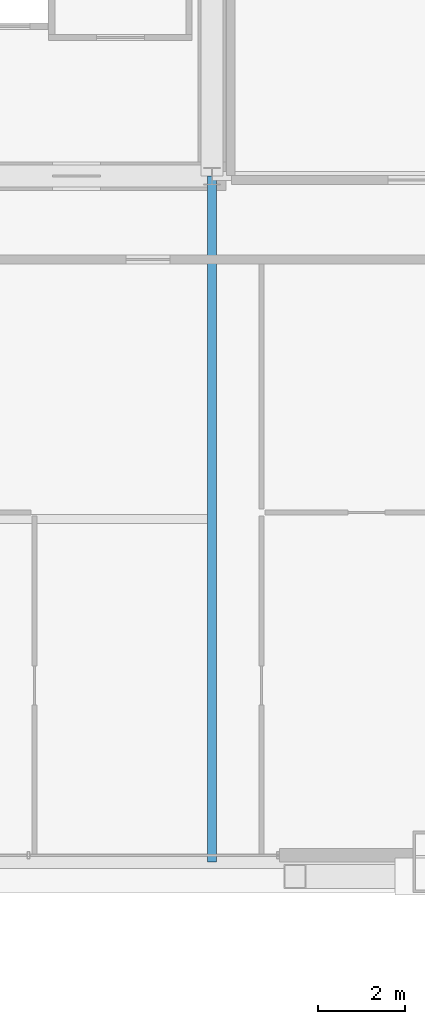
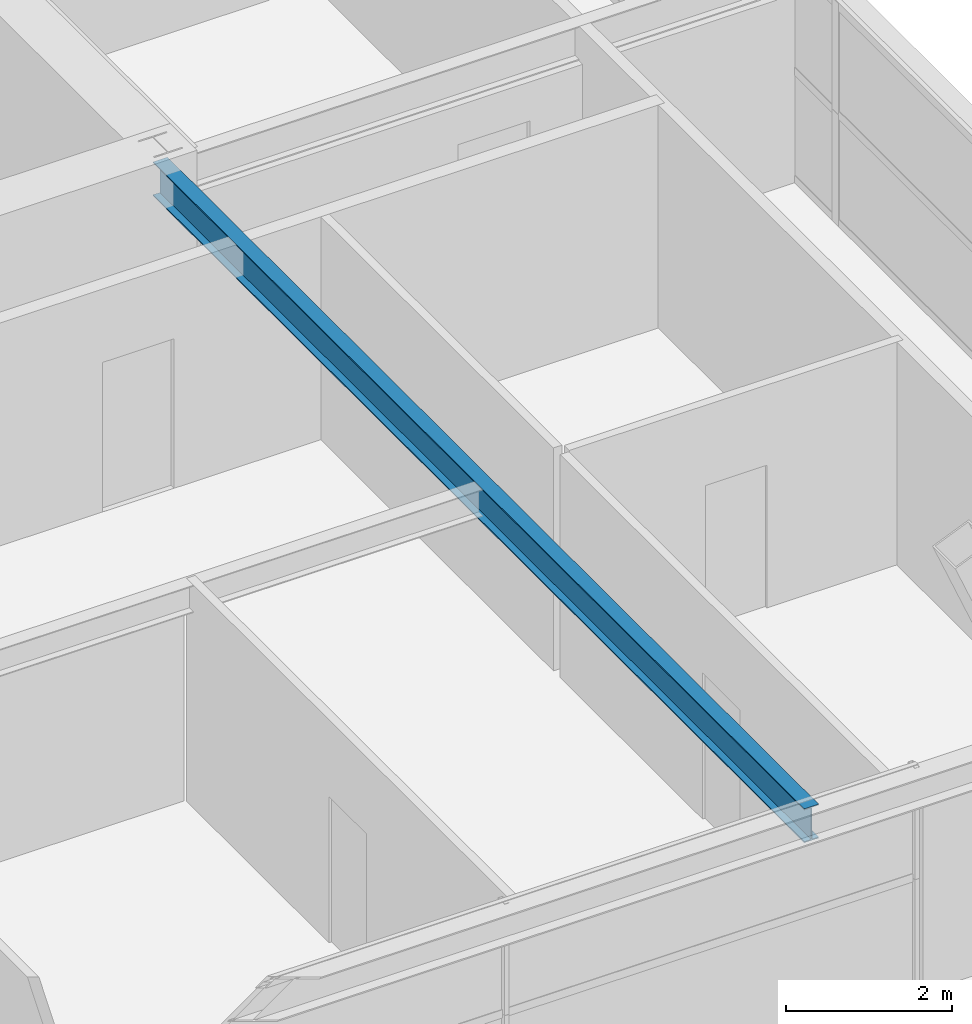
# One storey, part 21 of 45: 1 beam.
"""IFC4 building model written with IfcOpenShell, lengths in metres."""

from ifc_helpers import new_model, si_unit, direction, frame, origin, origin_2d, place, context, subcontext, project, spatial, i_section, extrude, source, transform, mapped, material, material_profile, profile_set, type_object, element, save


model = new_model("IFC4")

# Units and contexts
model_context = context("Model", 3, precision=1e-05, world=origin(), true_north=direction((0.0, 1.0)))
body_context = subcontext(model_context, "Body", "Model", "MODEL_VIEW")
ifc_project = project(units=[si_unit("LENGTHUNIT", "METRE"), si_unit("AREAUNIT", "SQUARE_METRE"), si_unit("VOLUMEUNIT", "CUBIC_METRE"), si_unit("PLANEANGLEUNIT", "RADIAN"), si_unit("MASSUNIT", "GRAM", prefix="KILO"), si_unit("THERMODYNAMICTEMPERATUREUNIT", "KELVIN"), si_unit("POWERUNIT", "WATT")], contexts=[model_context])

# Site, building, storey
site_placement = place(None, origin())
site = spatial("IfcSite", under=ifc_project, at=site_placement, CompositionType="ELEMENT")
building_placement = place(site_placement, origin())
building = spatial("IfcBuilding", under=site, at=building_placement, Name="Yuzanri Waterfront Tower", CompositionType="ELEMENT")
storey_placement = place(building_placement, frame((0.0, 0.0, 212.5)))
storey = spatial("IfcBuildingStorey", under=building, at=storey_placement, Name="L56", CompositionType="ELEMENT", Elevation=212.5)

# Beam
ifc_material = material(Name="Steel Q355B", Category="steel")
ifc_material_profile = material_profile(ifc_material, i_section(OverallWidth=0.199951171875, OverallDepth=0.5, WebThickness=0.010009765625, FlangeThickness=0.01611328125, at=origin_2d()), Name="HN 500x200x10x16")
ifc_profile_set = profile_set([ifc_material_profile], Name="Steel Q355B")
beam_type = type_object("IfcBeamType", Name="Secondary Floor Beam Q355B HN 500x200", PredefinedType="BEAM", material=ifc_profile_set)
shared_shape = source(origin(), body_context, "Body", "SweptSolid", [
    extrude(i_section(OverallWidth=0.199951171875, OverallDepth=0.5, WebThickness=0.010009765625, FlangeThickness=0.01611328125, at=origin_2d()), origin(), (0.0, 0.0, 1.0), 15.699951171875),
])
beam_placement = place(storey_placement, frame((50.199951171875, 19.39990234375, 3.030029296875), z_axis=(0.0, -1.0, 0.0), x_axis=(1.0, 0.0, 0.0)))
element("IfcBeam", 1, at=beam_placement, inside=storey, type_object=beam_type, Name="L56 South-East Core Line Beam", PredefinedType="BEAM", context=body_context, shape_type="MappedRepresentation", body=[
    mapped(shared_shape, transform((0.0, 0.0, 0.0), scale=1.0)),
])

save(model, "model.ifc")
